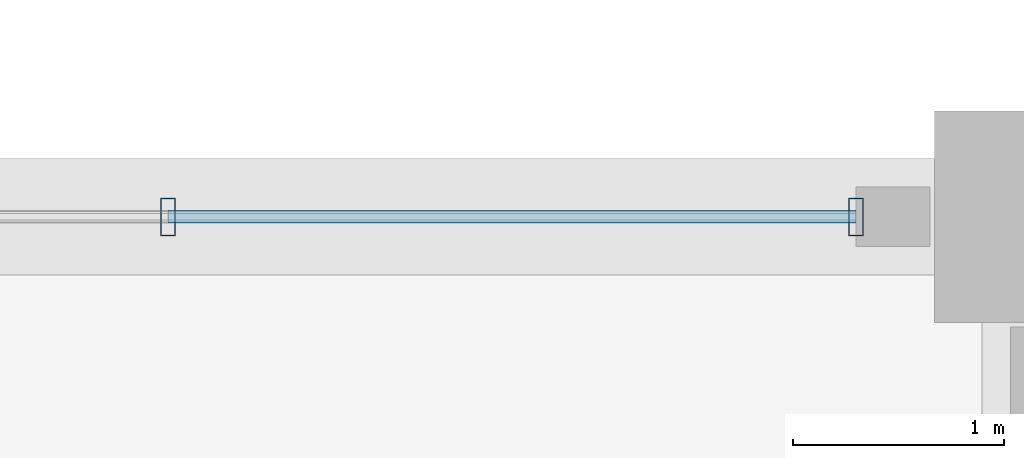
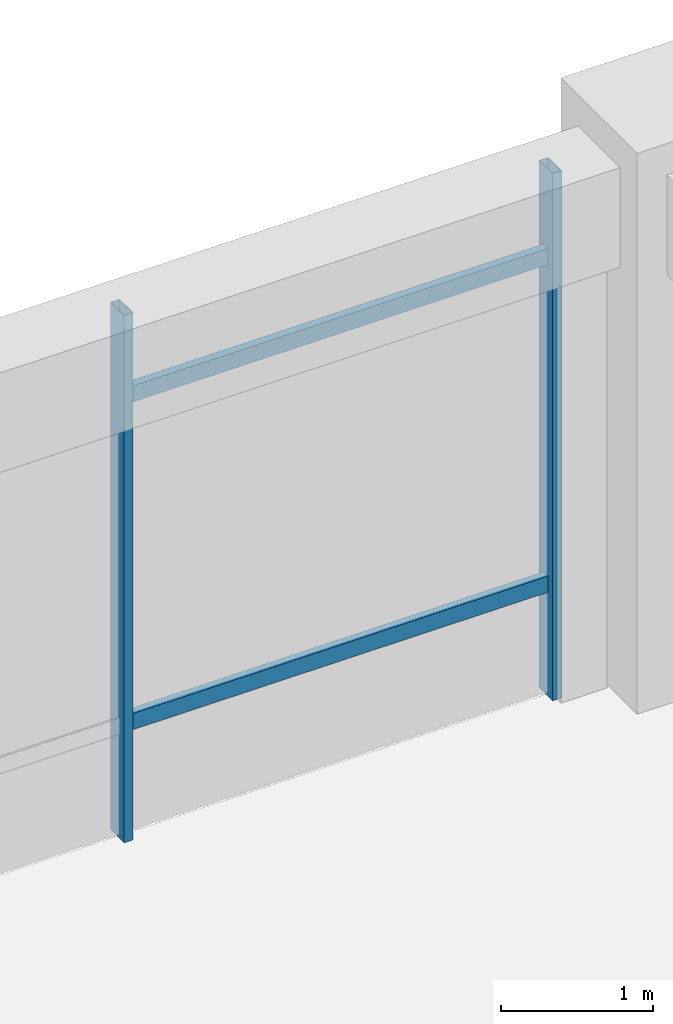
# One storey, part 121 of 154: 4 members, 1 element without a shape of its own.
"""IFC4 building model written with IfcOpenShell, lengths in metres."""

from ifc_helpers import new_model, si_unit, direction, frame, origin, origin_2d, place, context, subcontext, project, spatial, hollow_rectangle, extrude, material, material_profile, profile_set, type_object, element, aggregate, save


model = new_model("IFC4")

# Units and contexts
model_context = context("Model", 3, precision=1e-05, world=origin(), true_north=direction((0.0, 1.0)))
body_context = subcontext(model_context, "Body", "Model", "MODEL_VIEW")
ifc_project = project(units=[si_unit("LENGTHUNIT", "METRE"), si_unit("AREAUNIT", "SQUARE_METRE"), si_unit("VOLUMEUNIT", "CUBIC_METRE"), si_unit("PLANEANGLEUNIT", "RADIAN"), si_unit("MASSUNIT", "GRAM", prefix="KILO")], contexts=[model_context])

# Site, building, storey
site_placement = place(None, origin())
site = spatial("IfcSite", under=ifc_project, at=site_placement, CompositionType="ELEMENT")
building_placement = place(site_placement, origin())
building = spatial("IfcBuilding", under=site, at=building_placement, Name="Ologun Quay Terminus", CompositionType="ELEMENT")
storey_placement = place(building_placement, frame((0.0, 0.0, 13.800048828125)))
storey = spatial("IfcBuildingStorey", under=building, at=storey_placement, Name="L03", CompositionType="ELEMENT", Elevation=13.800048828125)

# Curtain wall, members
ifc_material_1 = material(Name="Aluminium 6063-T6", Category="aluminium")
curtain_wall_type = type_object("IfcCurtainWallType", Name="Waterfront Pavilion Harbour Curtain Wall L03 10600x4150", PredefinedType="USERDEFINED", material=ifc_material_1)
curtain_wall_placement = place(storey_placement, origin())
curtain_wall = element("IfcCurtainWall", 1, at=curtain_wall_placement, inside=storey, type_object=curtain_wall_type, Name="CW-25 Curtain Wall CW-L03-141", ObjectType="UNITISED CURTAIN WALL", PredefinedType="USERDEFINED")
ifc_material_2 = material(Name="Aluminium 6063-T6", Category="aluminium")
ifc_material_profile_1 = material_profile(ifc_material_2, hollow_rectangle(XDim=0.070068359375, YDim=0.179931640625, WallThickness=0.0048828125, at=origin_2d()), Name="ALU 180x70x5")
ifc_profile_set_1 = profile_set([ifc_material_profile_1], Name="Aluminium 6063-T6")
member_type_1 = type_object("IfcMemberType", Name="Curtain Wall Heavy Mullion 180x70", PredefinedType="MULLION", material=ifc_profile_set_1)
member_1_placement = place(storey_placement, frame((145.376708984375, 114.800048828125, 0.0), z_axis=(0.0, 0.0, 1.0), x_axis=(1.0, 0.0, 0.0)))
member_1 = element("IfcMember", 2, at=member_1_placement, type_object=member_type_1, Name="CW-L03-141 Mullion 3", PredefinedType="MULLION", context=body_context, shape_type="SweptSolid", body=[
    extrude(hollow_rectangle(XDim=0.070068359375, YDim=0.179931640625, WallThickness=0.0048828125, at=origin_2d()), origin(), (0.0, 0.0, 1.0), 4.22998046875),
])
member_2_placement = place(storey_placement, frame((148.6298828125, 114.800048828125, 0.0), z_axis=(0.0, 0.0, 1.0), x_axis=(1.0, 0.0, 0.0)))
member_2 = element("IfcMember", 3, at=member_2_placement, type_object=member_type_1, Name="CW-L03-141 Mullion 4", PredefinedType="MULLION", context=body_context, shape_type="SweptSolid", body=[
    extrude(hollow_rectangle(XDim=0.070068359375, YDim=0.179931640625, WallThickness=0.0048828125, at=origin_2d()), origin(), (0.0, 0.0, 1.0), 4.22998046875),
])
ifc_material_3 = material(Name="Aluminium 6063-T6", Category="aluminium")
ifc_material_profile_2 = material_profile(ifc_material_3, hollow_rectangle(XDim=0.06005859375, YDim=0.1298828125, WallThickness=0.00390625, at=origin_2d()), Name="ALU 130x60x4")
ifc_profile_set_2 = profile_set([ifc_material_profile_2], Name="Aluminium 6063-T6")
member_type_2 = type_object("IfcMemberType", Name="Curtain Wall Heavy Transom 130x60", PredefinedType="USERDEFINED", material=ifc_profile_set_2)
member_3_placement = place(storey_placement, frame((145.376708984375, 114.800048828125, 0.89990234375), z_axis=(1.0, 0.0, 0.0), x_axis=(0.0, 1.0, 0.0)))
member_3 = element("IfcMember", 4, at=member_3_placement, type_object=member_type_2, Name="CW-L03-141 Transom B3-1", ObjectType="TRANSOM", PredefinedType="USERDEFINED", context=body_context, shape_type="SweptSolid", body=[
    extrude(hollow_rectangle(XDim=0.06005859375, YDim=0.1298828125, WallThickness=0.00390625, at=origin_2d()), origin(), (0.0, 0.0, 1.0), 3.253173828125),
])
member_4_placement = place(storey_placement, frame((145.376708984375, 114.800048828125, 3.530029296875), z_axis=(1.0, 0.0, 0.0), x_axis=(0.0, 1.0, 0.0)))
member_4 = element("IfcMember", 5, at=member_4_placement, type_object=member_type_2, Name="CW-L03-141 Transom B3-2", ObjectType="TRANSOM", PredefinedType="USERDEFINED", context=body_context, shape_type="SweptSolid", body=[
    extrude(hollow_rectangle(XDim=0.06005859375, YDim=0.1298828125, WallThickness=0.00390625, at=origin_2d()), origin(), (0.0, 0.0, 1.0), 3.253173828125),
])
aggregate(curtain_wall, [member_1, member_2, member_3, member_4])

save(model, "model.ifc")
